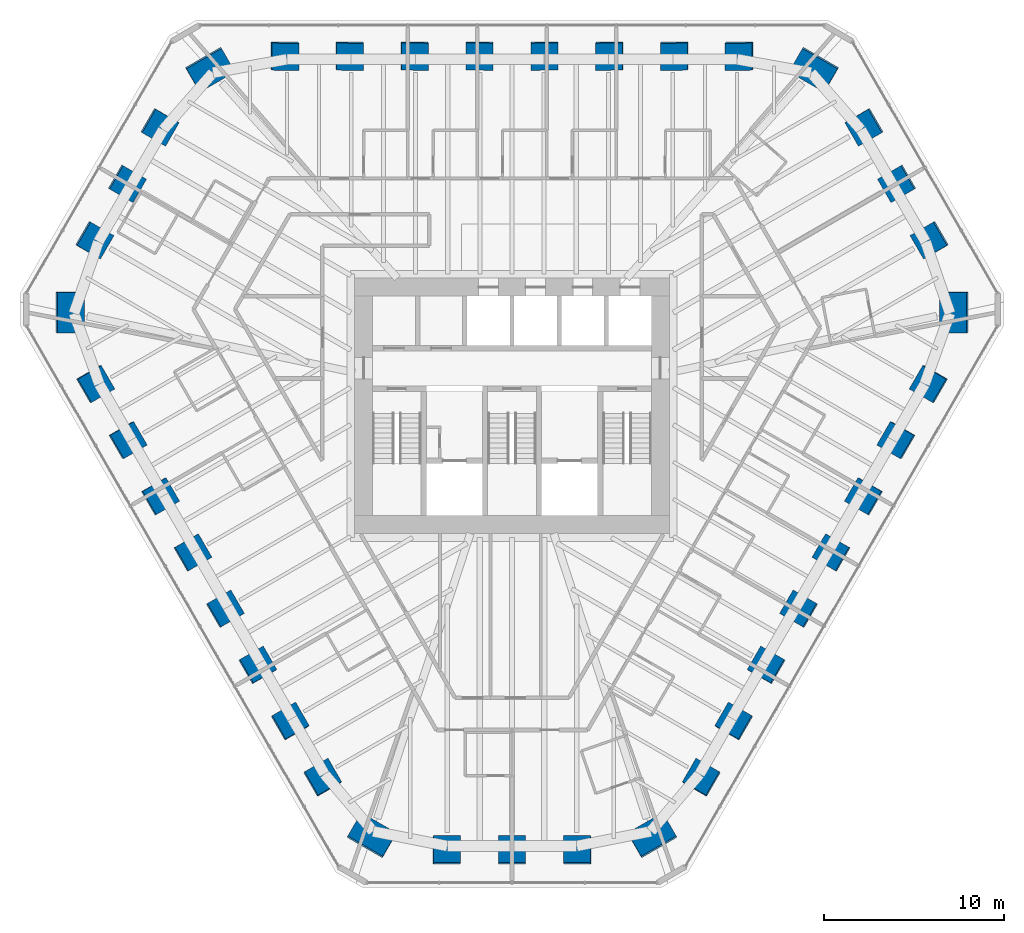
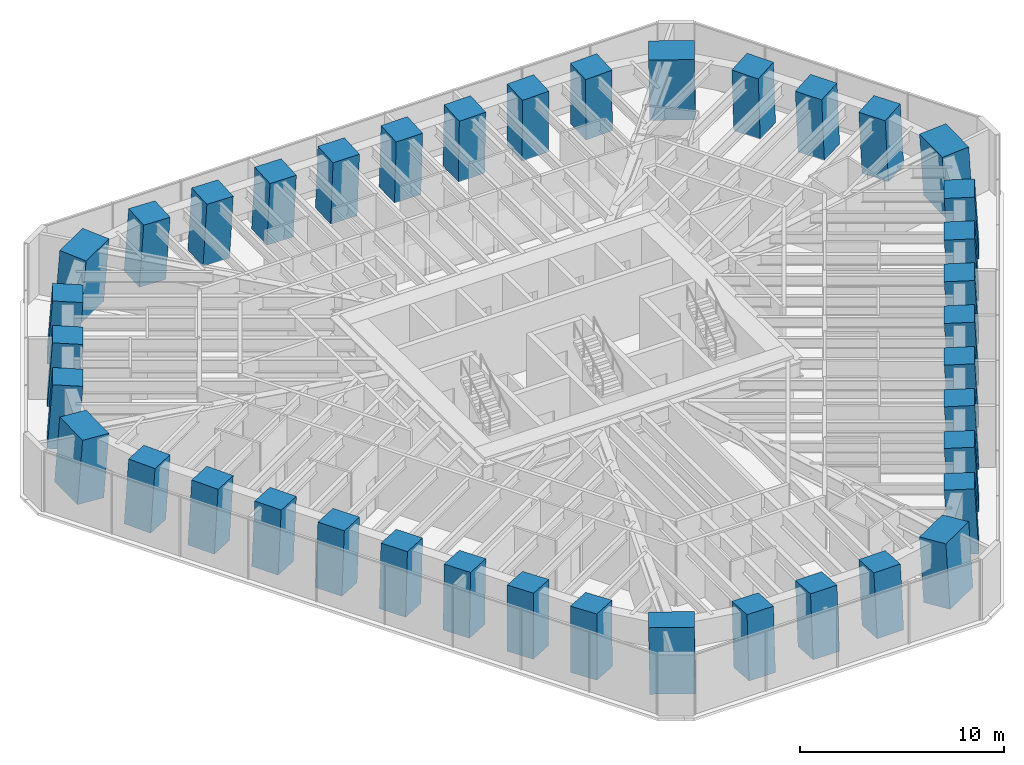
# One storey, part 1 of 17: 39 columns.
"""IFC4 building model written with IfcOpenShell, lengths in metres."""

import ifcopenshell
import ifcopenshell.guid

model = None  # the IFC model being written
_history = None  # IfcOwnerHistory: only IFC2X3 demands one
_inside = {}  # id of a spatial element -> (the spatial element, [elements in it])
_under = {}  # id of a project, library or spatial element -> (it, [spatial elements below it])
_declared = {}  # id of a project -> (the project, [libraries it declares])
_typed = {}  # id of a type object -> (the type object, [elements of that type])
_made_of = {}  # id of a material, layer set ... -> (it, [elements and type objects made of it])


def new_model(schema):
    """Start an empty IFC model of exactly this schema.

    Asked for "IFC4X3", IfcOpenShell would pick the latest addendum, in which some entities
    have other attributes; the version numbers below select the first issue.
    IFC2X3 requires an IfcOwnerHistory on every rooted entity: one is made here for all.
    """
    global model, _history
    if schema == "IFC4X3":
        model = ifcopenshell.file(schema_version=(4, 3, 0, 0))
    else:
        model = ifcopenshell.file(schema=schema)
    _inside.clear()
    _under.clear()
    _declared.clear()
    _typed.clear()
    _made_of.clear()
    _history = None
    if model.schema == "IFC2X3":
        org = make("IfcOrganization", Name="unknown")
        user = make(
            "IfcPersonAndOrganization",
            ThePerson=make("IfcPerson", FamilyName="unknown"),
            TheOrganization=org,
        )
        app = make(
            "IfcApplication",
            ApplicationDeveloper=org,
            Version="unknown",
            ApplicationFullName="unknown",
            ApplicationIdentifier="unknown",
        )
        _history = make(
            "IfcOwnerHistory",
            OwningUser=user,
            OwningApplication=app,
            ChangeAction="ADDED",
            CreationDate=0,
        )
    return model


def make(cls, **values):
    """One entity of the class cls with the attributes given. An attribute that is None is left unset."""
    return model.create_entity(
        cls, **{name: value for name, value in values.items() if value is not None}
    )


def rooted(cls, **values):
    """An entity with a GlobalId (a new one), such as an element, a storey or a relation."""
    return make(cls, GlobalId=ifcopenshell.guid.new(), OwnerHistory=_history, **values)


def si_unit(unit_type, name, prefix=None):
    """IfcSIUnit, for example si_unit("LENGTHUNIT", "METRE", prefix="MILLI")."""
    return make("IfcSIUnit", UnitType=unit_type, Prefix=prefix, Name=name)


def assignment(units):
    """IfcUnitAssignment: the units of a project."""
    return None if units is None else make("IfcUnitAssignment", Units=units)


def point(xyz):
    """IfcCartesianPoint."""
    return None if xyz is None else make("IfcCartesianPoint", Coordinates=xyz)


def direction(xyz):
    """IfcDirection."""
    return None if xyz is None else make("IfcDirection", DirectionRatios=xyz)


def frame(location, z_axis=None, x_axis=None):
    """IfcAxis2Placement3D, a coordinate frame: its origin and axes. An axis left out is left unset."""
    return make(
        "IfcAxis2Placement3D",
        Location=point(location),
        Axis=direction(z_axis),
        RefDirection=direction(x_axis),
    )


def frame_2d(location, x_axis=None):
    """IfcAxis2Placement2D, a coordinate frame in the plane: its origin and x axis."""
    return make(
        "IfcAxis2Placement2D", Location=point(location), RefDirection=direction(x_axis)
    )


def origin():
    """The frame at (0, 0, 0) with its axes left unset."""
    return frame((0.0, 0.0, 0.0))


def origin_2d():
    """The frame at (0, 0) in the plane with its x axis left unset."""
    return frame_2d((0.0, 0.0))


def place(relative_to, where):
    """IfcLocalPlacement: puts the frame where relative to a parent placement (None: the world)."""
    return make(
        "IfcLocalPlacement", PlacementRelTo=relative_to, RelativePlacement=where
    )


def context(
    kind, dimensions, precision=None, world=None, true_north=None, identifier=None
):
    """IfcGeometricRepresentationContext, for example the 3D "Model" context."""
    return make(
        "IfcGeometricRepresentationContext",
        ContextIdentifier=identifier,
        ContextType=kind,
        CoordinateSpaceDimension=dimensions,
        Precision=precision,
        WorldCoordinateSystem=world,
        TrueNorth=true_north,
    )


def subcontext(parent, identifier, kind, view, scale=None):
    """IfcGeometricRepresentationSubContext, for example "Body" below "Model"."""
    return make(
        "IfcGeometricRepresentationSubContext",
        ContextIdentifier=identifier,
        ContextType=kind,
        ParentContext=parent,
        TargetScale=scale,
        TargetView=view,
    )


def project(units=None, contexts=None):
    """IfcProject with its units and contexts."""
    return rooted(
        "IfcProject",
        Name="project",
        RepresentationContexts=contexts,
        UnitsInContext=assignment(units),
    )


def spatial(cls, under=None, at=None, **own):
    """A site, building, storey or space (cls), placed at a placement, below another one or the project."""
    s = rooted(cls, ObjectPlacement=at, **own)
    if under is not None:
        _under.setdefault(under.id(), (under, []))[1].append(s)
    return s


def profile(cls, at=None, kind="AREA", **sizes):
    """A parametric profile (cls). Its sizes go by their IFC names, for example OverallWidth=200.0."""
    return make(cls, ProfileType=kind, Position=at, **sizes)


def rectangle(**sizes):
    """IfcRectangleProfileDef."""
    return profile("IfcRectangleProfileDef", **sizes)


def extrude(swept, where, along, depth):
    """IfcExtrudedAreaSolid: the profile swept, set in the frame where, extruded along a direction by depth."""
    return make(
        "IfcExtrudedAreaSolid",
        SweptArea=swept,
        Position=where,
        ExtrudedDirection=direction(along),
        Depth=depth,
    )


def shape(context_of_items, identifier, shape_type, items):
    """IfcShapeRepresentation: the items that make up one representation, for example the "Body"."""
    return make(
        "IfcShapeRepresentation",
        ContextOfItems=context_of_items,
        RepresentationIdentifier=identifier,
        RepresentationType=shape_type,
        Items=items,
    )


def material(Name=None, Category=None):
    """IfcMaterial."""
    return make("IfcMaterial", Name=Name, Category=Category)


def material_profile(
    of_material, cross_section, Name=None, Category=None, Priority=None
):
    """IfcMaterialProfile: a cross section and its material."""
    return make(
        "IfcMaterialProfile",
        Name=Name,
        Material=of_material,
        Profile=cross_section,
        Priority=Priority,
        Category=Category,
    )


def profile_set(profiles, Name=None, composite=None):
    """IfcMaterialProfileSet."""
    return make(
        "IfcMaterialProfileSet",
        Name=Name,
        MaterialProfiles=profiles,
        CompositeProfile=composite,
    )


def made_of(thing, what):
    """Note that an element or type object is made of a material, layer set ...; save() writes the relation."""
    if what is not None:
        _made_of.setdefault(what.id(), (what, []))[1].append(thing)
    return thing


def type_object(cls, material=None, **own):
    """A type object (cls), such as IfcWallType, which elements share."""
    return made_of(rooted(cls, **own), material)


def element(
    cls,
    number,
    at=None,
    inside=None,
    cuts=None,
    type_object=None,
    material=None,
    context=None,
    identifier="Body",
    shape_type=None,
    held_by="IfcProductDefinitionShape",
    body=None,
    shapes=None,
    **own,
):
    """One element of the class cls, such as IfcWall. Its Tag is "e" and its number.

    at: its placement. inside: the storey or other place that contains it. cuts: it is an
    opening in that element (IfcRelVoidsElement). A single representation is given by context,
    identifier, shape_type and body (its items); several are given by shapes. held_by: the class
    of the entity that holds the representations. save() writes the other relations.
    """
    e = rooted(cls, Tag="e%d" % number, ObjectPlacement=at, **own)
    if body is not None:
        shapes = [shape(context, identifier, shape_type, body)]
    if shapes is not None:
        e.Representation = make(held_by, Representations=shapes)
    if inside is not None:
        _inside.setdefault(inside.id(), (inside, []))[1].append(e)
    if cuts is not None:
        rooted(
            "IfcRelVoidsElement", RelatingBuildingElement=cuts, RelatedOpeningElement=e
        )
    if type_object is not None:
        _typed.setdefault(type_object.id(), (type_object, []))[1].append(e)
    return made_of(e, material)


def aggregate(whole, parts):
    """IfcRelAggregates: a whole, such as a stair, and the parts it consists of."""
    return rooted("IfcRelAggregates", RelatingObject=whole, RelatedObjects=parts)


def save(model, path):
    """Write the relations noted so far, then the file.

    IfcRelAggregates (storeys below a building ...), IfcRelContainedInSpatialStructure (elements
    in a storey), IfcRelDefinesByType, IfcRelAssociatesMaterial and IfcRelDeclares: one each for
    every whole, place, type object, material and project.
    """
    for whole, parts in _under.values():
        aggregate(whole, parts)
    for where, things in _inside.values():
        rooted(
            "IfcRelContainedInSpatialStructure",
            RelatedElements=things,
            RelatingStructure=where,
        )
    for kind, things in _typed.values():
        rooted("IfcRelDefinesByType", RelatedObjects=things, RelatingType=kind)
    for what, things in _made_of.values():
        rooted("IfcRelAssociatesMaterial", RelatedObjects=things, RelatingMaterial=what)
    for by, libraries in _declared.values():
        rooted("IfcRelDeclares", RelatingContext=by, RelatedDefinitions=libraries)
    model.write(path)


model = new_model("IFC4")

# Units and contexts
model_context = context("Model", 3, precision=1e-05, world=origin(), true_north=direction((0.0, 1.0)))
body_context = subcontext(model_context, "Body", "Model", "MODEL_VIEW")
ifc_project = project(units=[si_unit("LENGTHUNIT", "METRE"), si_unit("AREAUNIT", "SQUARE_METRE"), si_unit("VOLUMEUNIT", "CUBIC_METRE"), si_unit("PLANEANGLEUNIT", "RADIAN"), si_unit("MASSUNIT", "GRAM", prefix="KILO")], contexts=[model_context])

# Site, building, storey
site_placement = place(None, origin())
site = spatial("IfcSite", under=ifc_project, at=site_placement, CompositionType="ELEMENT")
building_placement = place(site_placement, origin())
building = spatial("IfcBuilding", under=site, at=building_placement, Name="Sandreach Pilgrim Tower", CompositionType="ELEMENT")
storey_placement = place(building_placement, frame((0.0, 0.0, 240.199951171875)))
storey = spatial("IfcBuildingStorey", under=building, at=storey_placement, Name="L60", CompositionType="ELEMENT", Elevation=240.199951171875)

# Columns
ifc_material_1 = material(Name="Concrete 10000 psi", Category="concrete")
ifc_material_profile_1 = material_profile(ifc_material_1, rectangle(XDim=1.5, YDim=1.5, at=origin_2d()), Name="RC1500X1500")
ifc_profile_set_1 = profile_set([ifc_material_profile_1], Name="Concrete 10000 psi")
column_type_1 = type_object("IfcColumnType", Name="Raked tube column RC1500X1500", PredefinedType="COLUMN", material=ifc_profile_set_1)
column_1_placement = place(storey_placement, frame((-12.651611328125, 19.48095703125, 0.0), z_axis=(0.035453144405, -0.054558093831, 0.997880999393), x_axis=(0.001658844363, 0.998510559324, 0.054533578224)))
element("IfcColumn", 1, at=column_1_placement, inside=storey, type_object=column_type_1, Name="COL L60 T01", PredefinedType="COLUMN", context=body_context, shape_type="SweptSolid", body=[
    extrude(rectangle(XDim=1.5, YDim=1.5, at=origin_2d()), origin(), (0.0, 0.0, 1.0), 3.80810546875),
])
column_2_placement = place(storey_placement, frame((-9.037109375, 19.4814453125, 0.0), z_axis=(0.025331473271, -0.054574895579, 0.998188307502), x_axis=(0.00115198679, 0.998509652845, 0.054563230311)))
element("IfcColumn", 2, at=column_2_placement, inside=storey, type_object=column_type_1, Name="COL L60 T02", PredefinedType="COLUMN", context=body_context, shape_type="SweptSolid", body=[
    extrude(rectangle(XDim=1.5, YDim=1.5, at=origin_2d()), origin(), (0.0, 0.0, 1.0), 3.806884765625),
])
column_3_placement = place(storey_placement, frame((-5.42236328125, 19.48193359375, 0.0), z_axis=(0.015202005844, -0.054586105372, 0.998393337377), x_axis=(0.000673726901, 0.998509054749, 0.054582173615)))
element("IfcColumn", 3, at=column_3_placement, inside=storey, type_object=column_type_1, Name="COL L60 T03", PredefinedType="COLUMN", context=body_context, shape_type="SweptSolid", body=[
    extrude(rectangle(XDim=1.5, YDim=1.5, at=origin_2d()), origin(), (0.0, 0.0, 1.0), 3.80615234375),
])
for number, where, z_axis, x_axis, name in (
    (4, (-1.807373046875, 19.482177734375, 0.0), (0.005003724891, -0.054527771248, 0.998499717025), (0.0012773704, 0.998511750995, 0.054522027206), "COL L60 T04"),
    (5, (1.807373046875, 19.482177734375, 0.0), (-0.005003724891, -0.054527771248, 0.998499717025), (-0.0012773704, 0.998511750995, 0.054522027206), "COL L60 T05"),
):
    element("IfcColumn", number, at=place(storey_placement, frame(where, z_axis=z_axis, x_axis=x_axis)), inside=storey, type_object=column_type_1, Name=name, PredefinedType="COLUMN", context=body_context, shape_type="SweptSolid", body=[
        extrude(rectangle(XDim=1.5, YDim=1.5, at=origin_2d()), origin(), (0.0, 0.0, 1.0), 3.8056640625),
    ])
column_4_placement = place(storey_placement, frame((5.42236328125, 19.48193359375, 0.0), z_axis=(-0.015202005844, -0.054586105372, 0.998393337377), x_axis=(-0.000673726901, 0.998509054749, 0.054582173615)))
element("IfcColumn", 6, at=column_4_placement, inside=storey, type_object=column_type_1, Name="COL L60 T06", PredefinedType="COLUMN", context=body_context, shape_type="SweptSolid", body=[
    extrude(rectangle(XDim=1.5, YDim=1.5, at=origin_2d()), origin(), (0.0, 0.0, 1.0), 3.80615234375),
])
column_5_placement = place(storey_placement, frame((9.037109375, 19.4814453125, 0.0), z_axis=(-0.025331473271, -0.054574895579, 0.998188307502), x_axis=(-0.00115198679, 0.998509652845, 0.054563230311)))
element("IfcColumn", 7, at=column_5_placement, inside=storey, type_object=column_type_1, Name="COL L60 T07", PredefinedType="COLUMN", context=body_context, shape_type="SweptSolid", body=[
    extrude(rectangle(XDim=1.5, YDim=1.5, at=origin_2d()), origin(), (0.0, 0.0, 1.0), 3.806884765625),
])
column_6_placement = place(storey_placement, frame((12.651611328125, 19.48095703125, 0.0), z_axis=(-0.035453144405, -0.054558093831, 0.997880999393), x_axis=(-0.001658844363, 0.998510559324, 0.054533578224)))
element("IfcColumn", 8, at=column_6_placement, inside=storey, type_object=column_type_1, Name="COL L60 T08", PredefinedType="COLUMN", context=body_context, shape_type="SweptSolid", body=[
    extrude(rectangle(XDim=1.5, YDim=1.5, at=origin_2d()), origin(), (0.0, 0.0, 1.0), 3.80810546875),
])
column_7_placement = place(storey_placement, frame((19.6103515625, 15.517578125, 0.0), z_axis=(-0.054031272611, -0.04275072222, 0.997623675205), x_axis=(0.864377655023, 0.498201720113, 0.0681638876)))
element("IfcColumn", 9, at=column_7_placement, inside=storey, type_object=column_type_1, Name="COL L60 T10", PredefinedType="COLUMN", context=body_context, shape_type="SweptSolid", body=[
    extrude(rectangle(XDim=1.5, YDim=1.5, at=origin_2d()), origin(), (0.0, 0.0, 1.0), 3.80908203125),
])
column_8_placement = place(storey_placement, frame((21.427490234375, 12.37109375, 0.0), z_axis=(-0.059033679679, -0.034035704571, 0.997675596313), x_axis=(0.864312798031, 0.498317150656, 0.068142530934)))
element("IfcColumn", 10, at=column_8_placement, inside=storey, type_object=column_type_1, Name="COL L60 T11", PredefinedType="COLUMN", context=body_context, shape_type="SweptSolid", body=[
    extrude(rectangle(XDim=1.5, YDim=1.5, at=origin_2d()), origin(), (0.0, 0.0, 1.0), 3.808837890625),
])
column_9_placement = place(storey_placement, frame((23.243896484375, 9.22412109375, 0.0), z_axis=(-0.064030037102, -0.025381275968, 0.99762515264), x_axis=(0.863863296252, 0.499095957848, 0.068142719709)))
element("IfcColumn", 11, at=column_9_placement, inside=storey, type_object=column_type_1, Name="COL L60 T12", PredefinedType="COLUMN", context=body_context, shape_type="SweptSolid", body=[
    extrude(rectangle(XDim=1.5, YDim=1.5, at=origin_2d()), origin(), (0.0, 0.0, 1.0), 3.80908203125),
])
column_10_placement = place(storey_placement, frame((23.19677734375, 1.216064453125, 0.0), z_axis=(-0.064944143672, -0.003397867339, 0.997883115751), x_axis=(0.863717362202, -0.501020333053, 0.054506367508)))
element("IfcColumn", 12, at=column_10_placement, inside=storey, type_object=column_type_1, Name="COL L60 T14", PredefinedType="COLUMN", context=body_context, shape_type="SweptSolid", body=[
    extrude(rectangle(XDim=1.5, YDim=1.5, at=origin_2d()), origin(), (0.0, 0.0, 1.0), 3.80810546875),
])
column_11_placement = place(storey_placement, frame((21.389892578125, -1.91455078125, 0.0), z_axis=(-0.059897811742, 0.005386955232, 0.998189978342), x_axis=(0.863828729651, -0.500824842558, 0.05453808675)))
element("IfcColumn", 13, at=column_11_placement, inside=storey, type_object=column_type_1, Name="COL L60 T15", PredefinedType="COLUMN", context=body_context, shape_type="SweptSolid", body=[
    extrude(rectangle(XDim=1.5, YDim=1.5, at=origin_2d()), origin(), (0.0, 0.0, 1.0), 3.806884765625),
])
column_12_placement = place(storey_placement, frame((19.5830078125, -5.045166015625, 0.0), z_axis=(-0.054842736172, 0.014175724788, 0.998394372538), x_axis=(0.863919088105, -0.500666069825, 0.054564601462)))
element("IfcColumn", 14, at=column_12_placement, inside=storey, type_object=column_type_1, Name="COL L60 T16", PredefinedType="COLUMN", context=body_context, shape_type="SweptSolid", body=[
    extrude(rectangle(XDim=1.5, YDim=1.5, at=origin_2d()), origin(), (0.0, 0.0, 1.0), 3.80615234375),
])
for number, where, z_axis, x_axis, name in (
    (15, (17.77587890625, -8.17578125, 0.0), (-0.049780541004, 0.022901614869, 0.998497578251), (0.864550428714, -0.499575489983, 0.054560846939), "COL L60 T17"),
    (16, (15.968505859375, -11.306396484375, 0.0), (-0.044776678035, 0.031690084455, 0.9984942602), (0.86497592463, -0.498831829764, 0.054621016338), "COL L60 T18"),
):
    element("IfcColumn", number, at=place(storey_placement, frame(where, z_axis=z_axis, x_axis=x_axis)), inside=storey, type_object=column_type_1, Name=name, PredefinedType="COLUMN", context=body_context, shape_type="SweptSolid", body=[
        extrude(rectangle(XDim=1.5, YDim=1.5, at=origin_2d()), origin(), (0.0, 0.0, 1.0), 3.8056640625),
    ])
column_13_placement = place(storey_placement, frame((14.16064453125, -14.436767578125, 0.0), z_axis=(-0.03970484219, 0.040410420969, 0.998393972029), x_axis=(0.865573316863, -0.497799955142, 0.054571400892)))
element("IfcColumn", 17, at=column_13_placement, inside=storey, type_object=column_type_1, Name="COL L60 T19", PredefinedType="COLUMN", context=body_context, shape_type="SweptSolid", body=[
    extrude(rectangle(XDim=1.5, YDim=1.5, at=origin_2d()), origin(), (0.0, 0.0, 1.0), 3.80615234375),
])
column_14_placement = place(storey_placement, frame((12.35302734375, -17.56689453125, 0.0), z_axis=(-0.034630392521, 0.049187983451, 0.998188999237), x_axis=(0.865710635042, -0.497563147718, 0.054552822179)))
element("IfcColumn", 18, at=column_14_placement, inside=storey, type_object=column_type_1, Name="COL L60 T20", PredefinedType="COLUMN", context=body_context, shape_type="SweptSolid", body=[
    extrude(rectangle(XDim=1.5, YDim=1.5, at=origin_2d()), origin(), (0.0, 0.0, 1.0), 3.806884765625),
])
column_15_placement = place(storey_placement, frame((10.545166015625, -20.697021484375, 0.0), z_axis=(-0.029490933894, 0.057956096175, 0.997883447971), x_axis=(0.86544432698, -0.498031764609, 0.054502094804)))
element("IfcColumn", 19, at=column_15_placement, inside=storey, type_object=column_type_1, Name="COL L60 T21", PredefinedType="COLUMN", context=body_context, shape_type="SweptSolid", body=[
    extrude(rectangle(XDim=1.5, YDim=1.5, at=origin_2d()), origin(), (0.0, 0.0, 1.0), 3.80810546875),
])
column_16_placement = place(storey_placement, frame((3.633544921875, -24.741943359375, 0.0), z_axis=(-0.009998651304, 0.068195929409, 0.997621843277), x_axis=(-0.00092065377, -0.997671919624, 0.068190125313)))
element("IfcColumn", 20, at=column_16_placement, inside=storey, type_object=column_type_1, Name="COL L60 T23", PredefinedType="COLUMN", context=body_context, shape_type="SweptSolid", body=[
    extrude(rectangle(XDim=1.5, YDim=1.5, at=origin_2d()), origin(), (0.0, 0.0, 1.0), 3.80908203125),
])
column_17_placement = place(storey_placement, frame((0.0, -24.742431640625, 0.0), z_axis=(0.0, 0.068199338541, 0.997671714655), x_axis=(0.0, -0.997671714655, 0.068199338541)))
element("IfcColumn", 21, at=column_17_placement, inside=storey, type_object=column_type_1, Name="COL L60 T24", PredefinedType="COLUMN", context=body_context, shape_type="SweptSolid", body=[
    extrude(rectangle(XDim=1.5, YDim=1.5, at=origin_2d()), origin(), (0.0, 0.0, 1.0), 3.808837890625),
])
column_18_placement = place(storey_placement, frame((-3.633544921875, -24.741943359375, 0.0), z_axis=(0.009998651304, 0.068195929409, 0.997621843277), x_axis=(0.00092065377, -0.997671919624, 0.068190125313)))
element("IfcColumn", 22, at=column_18_placement, inside=storey, type_object=column_type_1, Name="COL L60 T25", PredefinedType="COLUMN", context=body_context, shape_type="SweptSolid", body=[
    extrude(rectangle(XDim=1.5, YDim=1.5, at=origin_2d()), origin(), (0.0, 0.0, 1.0), 3.80908203125),
])
column_19_placement = place(storey_placement, frame((-10.545166015625, -20.697021484375, 0.0), z_axis=(0.029490933894, 0.057956096175, 0.997883447971), x_axis=(-0.86544432698, -0.498031764609, 0.054502094804)))
element("IfcColumn", 23, at=column_19_placement, inside=storey, type_object=column_type_1, Name="COL L60 T27", PredefinedType="COLUMN", context=body_context, shape_type="SweptSolid", body=[
    extrude(rectangle(XDim=1.5, YDim=1.5, at=origin_2d()), origin(), (0.0, 0.0, 1.0), 3.80810546875),
])
column_20_placement = place(storey_placement, frame((-12.35302734375, -17.56689453125, 0.0), z_axis=(0.034630392521, 0.049187983451, 0.998188999237), x_axis=(-0.865710635042, -0.497563147718, 0.054552822179)))
element("IfcColumn", 24, at=column_20_placement, inside=storey, type_object=column_type_1, Name="COL L60 T28", PredefinedType="COLUMN", context=body_context, shape_type="SweptSolid", body=[
    extrude(rectangle(XDim=1.5, YDim=1.5, at=origin_2d()), origin(), (0.0, 0.0, 1.0), 3.806884765625),
])
column_21_placement = place(storey_placement, frame((-14.16064453125, -14.436767578125, 0.0), z_axis=(0.03970484219, 0.040410420969, 0.998393972029), x_axis=(-0.865573316863, -0.497799955142, 0.054571400892)))
element("IfcColumn", 25, at=column_21_placement, inside=storey, type_object=column_type_1, Name="COL L60 T29", PredefinedType="COLUMN", context=body_context, shape_type="SweptSolid", body=[
    extrude(rectangle(XDim=1.5, YDim=1.5, at=origin_2d()), origin(), (0.0, 0.0, 1.0), 3.80615234375),
])
for number, where, z_axis, x_axis, name in (
    (26, (-15.968505859375, -11.306396484375, 0.0), (0.044776678035, 0.031690084455, 0.9984942602), (-0.86497592463, -0.498831829764, 0.054621016338), "COL L60 T30"),
    (27, (-17.77587890625, -8.17578125, 0.0), (0.049780541004, 0.022901614869, 0.998497578251), (-0.864550428714, -0.499575489983, 0.054560846939), "COL L60 T31"),
):
    element("IfcColumn", number, at=place(storey_placement, frame(where, z_axis=z_axis, x_axis=x_axis)), inside=storey, type_object=column_type_1, Name=name, PredefinedType="COLUMN", context=body_context, shape_type="SweptSolid", body=[
        extrude(rectangle(XDim=1.5, YDim=1.5, at=origin_2d()), origin(), (0.0, 0.0, 1.0), 3.8056640625),
    ])
column_22_placement = place(storey_placement, frame((-19.5830078125, -5.045166015625, 0.0), z_axis=(0.054842736172, 0.014175724788, 0.998394372538), x_axis=(-0.863919088105, -0.500666069825, 0.054564601462)))
element("IfcColumn", 28, at=column_22_placement, inside=storey, type_object=column_type_1, Name="COL L60 T32", PredefinedType="COLUMN", context=body_context, shape_type="SweptSolid", body=[
    extrude(rectangle(XDim=1.5, YDim=1.5, at=origin_2d()), origin(), (0.0, 0.0, 1.0), 3.80615234375),
])
column_23_placement = place(storey_placement, frame((-21.389892578125, -1.91455078125, 0.0), z_axis=(0.059897811742, 0.005386955232, 0.998189978342), x_axis=(-0.863828729651, -0.500824842558, 0.05453808675)))
element("IfcColumn", 29, at=column_23_placement, inside=storey, type_object=column_type_1, Name="COL L60 T33", PredefinedType="COLUMN", context=body_context, shape_type="SweptSolid", body=[
    extrude(rectangle(XDim=1.5, YDim=1.5, at=origin_2d()), origin(), (0.0, 0.0, 1.0), 3.806884765625),
])
column_24_placement = place(storey_placement, frame((-23.19677734375, 1.216064453125, 0.0), z_axis=(0.064944143672, -0.003397867339, 0.997883115751), x_axis=(-0.863717362202, -0.501020333053, 0.054506367508)))
element("IfcColumn", 30, at=column_24_placement, inside=storey, type_object=column_type_1, Name="COL L60 T34", PredefinedType="COLUMN", context=body_context, shape_type="SweptSolid", body=[
    extrude(rectangle(XDim=1.5, YDim=1.5, at=origin_2d()), origin(), (0.0, 0.0, 1.0), 3.80810546875),
])
column_25_placement = place(storey_placement, frame((-23.243896484375, 9.22412109375, 0.0), z_axis=(0.064030037102, -0.025381275968, 0.99762515264), x_axis=(-0.863863296252, 0.499095957848, 0.068142719709)))
element("IfcColumn", 31, at=column_25_placement, inside=storey, type_object=column_type_1, Name="COL L60 T36", PredefinedType="COLUMN", context=body_context, shape_type="SweptSolid", body=[
    extrude(rectangle(XDim=1.5, YDim=1.5, at=origin_2d()), origin(), (0.0, 0.0, 1.0), 3.80908203125),
])
column_26_placement = place(storey_placement, frame((-21.427490234375, 12.37109375, 0.0), z_axis=(0.059033679679, -0.034035704571, 0.997675596313), x_axis=(-0.864312798031, 0.498317150656, 0.068142530934)))
element("IfcColumn", 32, at=column_26_placement, inside=storey, type_object=column_type_1, Name="COL L60 T37", PredefinedType="COLUMN", context=body_context, shape_type="SweptSolid", body=[
    extrude(rectangle(XDim=1.5, YDim=1.5, at=origin_2d()), origin(), (0.0, 0.0, 1.0), 3.808837890625),
])
column_27_placement = place(storey_placement, frame((-19.6103515625, 15.517578125, 0.0), z_axis=(0.054031272611, -0.04275072222, 0.997623675205), x_axis=(-0.864377655023, 0.498201720113, 0.0681638876)))
element("IfcColumn", 33, at=column_27_placement, inside=storey, type_object=column_type_1, Name="COL L60 T38", PredefinedType="COLUMN", context=body_context, shape_type="SweptSolid", body=[
    extrude(rectangle(XDim=1.5, YDim=1.5, at=origin_2d()), origin(), (0.0, 0.0, 1.0), 3.80908203125),
])
ifc_material_2 = material(Name="Concrete 10000 psi", Category="concrete")
ifc_material_profile_2 = material_profile(ifc_material_2, rectangle(XDim=1.5, YDim=2.25, at=origin_2d()), Name="RC1500X2250")
ifc_profile_set_2 = profile_set([ifc_material_profile_2], Name="Concrete 10000 psi")
column_type_2 = type_object("IfcColumnType", Name="Raked tube corner pier RC1500X2250", PredefinedType="COLUMN", material=ifc_profile_set_2)
for number, where, z_axis, x_axis, name in (
    (34, (16.81298828125, 18.72412109375, 0.0), (-0.047486447242, -0.052869526282, 0.997471729183), (0.498019754644, 0.864374186846, 0.069524018139), "COL L60 T09"),
    (35, (24.6220703125, 5.198486328125, 0.0), (-0.069531443306, -0.014675300016, 0.997471811111), (0.99757975799, -0.001092604117, 0.069522893098), "COL L60 T13"),
    (36, (7.80908203125, -23.922607421875, 0.0), (-0.022109063958, 0.067544792498, 0.997471247855), (0.500375744386, -0.863011938669, 0.06953062738), "COL L60 T22"),
    (37, (-7.80908203125, -23.922607421875, 0.0), (0.022109063958, 0.067544792498, 0.997471247855), (-0.500375744386, -0.863011938669, 0.06953062738), "COL L60 T26"),
    (38, (-24.6220703125, 5.198486328125, 0.0), (0.069531443306, -0.014675300016, 0.997471811111), (-0.99757975799, -0.001092604117, 0.069522893098), "COL L60 T35"),
    (39, (-16.81298828125, 18.72412109375, 0.0), (0.047486447242, -0.052869526282, 0.997471729183), (-0.498019754644, 0.864374186846, 0.069524018139), "COL L60 T39"),
):
    element("IfcColumn", number, at=place(storey_placement, frame(where, z_axis=z_axis, x_axis=x_axis)), inside=storey, type_object=column_type_2, Name=name, PredefinedType="COLUMN", context=body_context, shape_type="SweptSolid", body=[
        extrude(rectangle(XDim=1.5, YDim=2.25, at=origin_2d()), origin(), (0.0, 0.0, 1.0), 3.8095703125),
    ])

save(model, "model.ifc")
